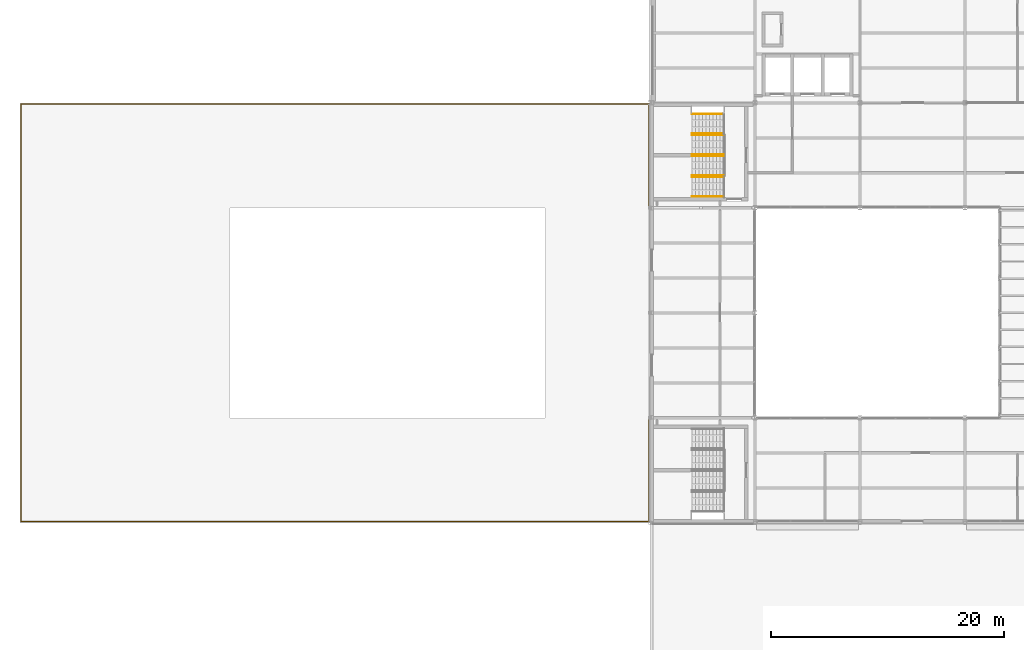
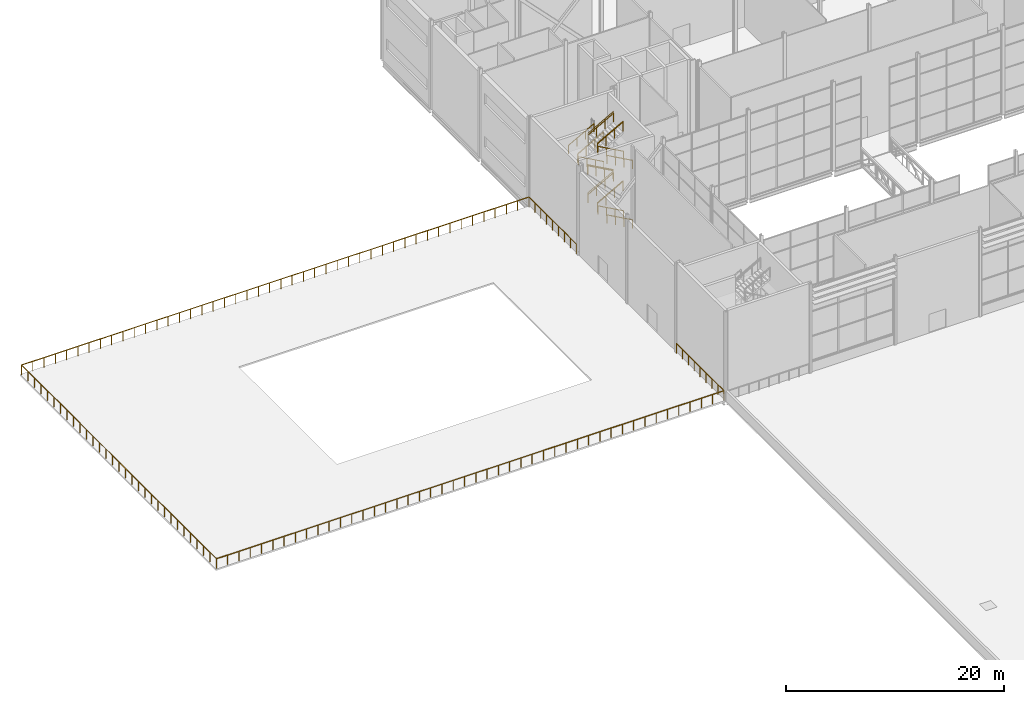
# One storey, part 107 of 111: 19 railings.
"""IFC4 building model written with IfcOpenShell, lengths in metres."""

from ifc_helpers import new_model, si_unit, direction, frame, origin, origin_2d, place, context, subcontext, project, spatial, circle, extrude, material, type_object, element, save


model = new_model("IFC4")

# Units and contexts
model_context = context("Model", 3, precision=1e-05, world=origin(), true_north=direction((0.0, 1.0)))
body_context = subcontext(model_context, "Body", "Model", "MODEL_VIEW")
ifc_project = project(units=[si_unit("LENGTHUNIT", "METRE"), si_unit("AREAUNIT", "SQUARE_METRE"), si_unit("VOLUMEUNIT", "CUBIC_METRE"), si_unit("PLANEANGLEUNIT", "RADIAN"), si_unit("MASSUNIT", "GRAM", prefix="KILO")], contexts=[model_context])

# Site, building, storey
site_placement = place(None, origin())
site = spatial("IfcSite", under=ifc_project, at=site_placement, CompositionType="ELEMENT")
building_placement = place(site_placement, origin())
building = spatial("IfcBuilding", under=site, at=building_placement, Name="Shorebreak Coast Museum", CompositionType="ELEMENT")
storey_placement = place(building_placement, frame((0.0, 0.0, 16.0)))
storey = spatial("IfcBuildingStorey", under=building, at=storey_placement, Name="L03", CompositionType="ELEMENT", Elevation=16.0)

# Railings
ifc_material_1 = material(Name="Roof garden guard 1100")
railing_type_1 = type_object("IfcRailingType", Name="Roof garden guard 1100", PredefinedType="GUARDRAIL", material=ifc_material_1)
railing_1_placement = place(storey_placement, frame((53.89990234375, 62.800048828125, 0.0)))
element("IfcRailing", 1, at=railing_1_placement, inside=storey, type_object=railing_type_1, Name="Roof garden guard WDECK-S 1", PredefinedType="GUARDRAIL", context=body_context, shape_type="SweptSolid", body=[
    extrude(circle(Radius=0.02490234375, at=origin_2d()), frame((0.0, 0.0, 1.0751953125), z_axis=(0.0, -1.0, 0.0), x_axis=(1.0, 0.0, 0.0)), (0.0, 0.0, 1.0), 8.699951171875),
    extrude(circle(Radius=0.02490234375, at=origin_2d()), frame((0.0, -8.699951171875, 1.0751953125), z_axis=(-1.0, 0.0, 0.0), x_axis=(0.0, -1.0, 0.0)), (0.0, 0.0, 1.0), 53.7998046875),
    extrude(circle(Radius=0.02490234375, at=origin_2d()), frame((-53.7998046875, -8.699951171875, 1.0751953125), z_axis=(0.0, 1.0, 0.0), x_axis=(-1.0, 0.0, 0.0)), (0.0, 0.0, 1.0), 35.7998046875),
    extrude(circle(Radius=0.02490234375, at=origin_2d()), frame((-53.7998046875, 27.099853515625, 1.0751953125), z_axis=(1.0, 0.0, 0.0), x_axis=(0.0, 1.0, 0.0)), (0.0, 0.0, 1.0), 53.7998046875),
    extrude(circle(Radius=0.02490234375, at=origin_2d()), frame((0.0, 27.099853515625, 1.0751953125), z_axis=(0.0, -1.0, 0.0), x_axis=(1.0, 0.0, 0.0)), (0.0, 0.0, 1.0), 8.699951171875),
    extrude(circle(Radius=0.02001953125, at=origin_2d()), origin(), (0.0, 0.0, 1.0), 1.050048828125),
    extrude(circle(Radius=0.02001953125, at=origin_2d()), frame((0.0, -1.08740234375, 0.0)), (0.0, 0.0, 1.0), 1.050048828125),
    extrude(circle(Radius=0.02001953125, at=origin_2d()), frame((0.0, -2.175048828125, 0.0)), (0.0, 0.0, 1.0), 1.050048828125),
    extrude(circle(Radius=0.02001953125, at=origin_2d()), frame((0.0, -3.262451171875, 0.0)), (0.0, 0.0, 1.0), 1.050048828125),
    extrude(circle(Radius=0.02001953125, at=origin_2d()), frame((0.0, -4.35009765625, 0.0)), (0.0, 0.0, 1.0), 1.050048828125),
    extrude(circle(Radius=0.02001953125, at=origin_2d()), frame((0.0, -5.4375, 0.0)), (0.0, 0.0, 1.0), 1.050048828125),
    extrude(circle(Radius=0.02001953125, at=origin_2d()), frame((0.0, -6.52490234375, 0.0)), (0.0, 0.0, 1.0), 1.050048828125),
    extrude(circle(Radius=0.02001953125, at=origin_2d()), frame((0.0, -7.612548828125, 0.0)), (0.0, 0.0, 1.0), 1.050048828125),
    extrude(circle(Radius=0.02001953125, at=origin_2d()), frame((0.0, -8.699951171875, 0.0)), (0.0, 0.0, 1.0), 1.050048828125),
    extrude(circle(Radius=0.02001953125, at=origin_2d()), frame((-1.195556640625, -8.699951171875, 0.0)), (0.0, 0.0, 1.0), 1.050048828125),
    extrude(circle(Radius=0.02001953125, at=origin_2d()), frame((-2.39111328125, -8.699951171875, 0.0)), (0.0, 0.0, 1.0), 1.050048828125),
    extrude(circle(Radius=0.02001953125, at=origin_2d()), frame((-3.586669921875, -8.699951171875, 0.0)), (0.0, 0.0, 1.0), 1.050048828125),
    extrude(circle(Radius=0.02001953125, at=origin_2d()), frame((-4.7822265625, -8.699951171875, 0.0)), (0.0, 0.0, 1.0), 1.050048828125),
    extrude(circle(Radius=0.02001953125, at=origin_2d()), frame((-5.977783203125, -8.699951171875, 0.0)), (0.0, 0.0, 1.0), 1.050048828125),
    extrude(circle(Radius=0.02001953125, at=origin_2d()), frame((-7.17333984375, -8.699951171875, 0.0)), (0.0, 0.0, 1.0), 1.050048828125),
    extrude(circle(Radius=0.02001953125, at=origin_2d()), frame((-8.368896484375, -8.699951171875, 0.0)), (0.0, 0.0, 1.0), 1.050048828125),
    extrude(circle(Radius=0.02001953125, at=origin_2d()), frame((-9.564453125, -8.699951171875, 0.0)), (0.0, 0.0, 1.0), 1.050048828125),
    extrude(circle(Radius=0.02001953125, at=origin_2d()), frame((-10.760009765625, -8.699951171875, 0.0)), (0.0, 0.0, 1.0), 1.050048828125),
    extrude(circle(Radius=0.02001953125, at=origin_2d()), frame((-11.95556640625, -8.699951171875, 0.0)), (0.0, 0.0, 1.0), 1.050048828125),
    extrude(circle(Radius=0.02001953125, at=origin_2d()), frame((-13.151123046875, -8.699951171875, 0.0)), (0.0, 0.0, 1.0), 1.050048828125),
    extrude(circle(Radius=0.02001953125, at=origin_2d()), frame((-14.3466796875, -8.699951171875, 0.0)), (0.0, 0.0, 1.0), 1.050048828125),
    extrude(circle(Radius=0.02001953125, at=origin_2d()), frame((-15.542236328125, -8.699951171875, 0.0)), (0.0, 0.0, 1.0), 1.050048828125),
    extrude(circle(Radius=0.02001953125, at=origin_2d()), frame((-16.73779296875, -8.699951171875, 0.0)), (0.0, 0.0, 1.0), 1.050048828125),
    extrude(circle(Radius=0.02001953125, at=origin_2d()), frame((-17.933349609375, -8.699951171875, 0.0)), (0.0, 0.0, 1.0), 1.050048828125),
    extrude(circle(Radius=0.02001953125, at=origin_2d()), frame((-19.12890625, -8.699951171875, 0.0)), (0.0, 0.0, 1.0), 1.050048828125),
    extrude(circle(Radius=0.02001953125, at=origin_2d()), frame((-20.324462890625, -8.699951171875, 0.0)), (0.0, 0.0, 1.0), 1.050048828125),
    extrude(circle(Radius=0.02001953125, at=origin_2d()), frame((-21.52001953125, -8.699951171875, 0.0)), (0.0, 0.0, 1.0), 1.050048828125),
    extrude(circle(Radius=0.02001953125, at=origin_2d()), frame((-22.715576171875, -8.699951171875, 0.0)), (0.0, 0.0, 1.0), 1.050048828125),
    extrude(circle(Radius=0.02001953125, at=origin_2d()), frame((-23.9111328125, -8.699951171875, 0.0)), (0.0, 0.0, 1.0), 1.050048828125),
    extrude(circle(Radius=0.02001953125, at=origin_2d()), frame((-25.106689453125, -8.699951171875, 0.0)), (0.0, 0.0, 1.0), 1.050048828125),
    extrude(circle(Radius=0.02001953125, at=origin_2d()), frame((-26.30224609375, -8.699951171875, 0.0)), (0.0, 0.0, 1.0), 1.050048828125),
    extrude(circle(Radius=0.02001953125, at=origin_2d()), frame((-27.49755859375, -8.699951171875, 0.0)), (0.0, 0.0, 1.0), 1.050048828125),
    extrude(circle(Radius=0.02001953125, at=origin_2d()), frame((-28.693115234375, -8.699951171875, 0.0)), (0.0, 0.0, 1.0), 1.050048828125),
    extrude(circle(Radius=0.02001953125, at=origin_2d()), frame((-29.888671875, -8.699951171875, 0.0)), (0.0, 0.0, 1.0), 1.050048828125),
    extrude(circle(Radius=0.02001953125, at=origin_2d()), frame((-31.084228515625, -8.699951171875, 0.0)), (0.0, 0.0, 1.0), 1.050048828125),
    extrude(circle(Radius=0.02001953125, at=origin_2d()), frame((-32.27978515625, -8.699951171875, 0.0)), (0.0, 0.0, 1.0), 1.050048828125),
    extrude(circle(Radius=0.02001953125, at=origin_2d()), frame((-33.475341796875, -8.699951171875, 0.0)), (0.0, 0.0, 1.0), 1.050048828125),
    extrude(circle(Radius=0.02001953125, at=origin_2d()), frame((-34.6708984375, -8.699951171875, 0.0)), (0.0, 0.0, 1.0), 1.050048828125),
    extrude(circle(Radius=0.02001953125, at=origin_2d()), frame((-35.866455078125, -8.699951171875, 0.0)), (0.0, 0.0, 1.0), 1.050048828125),
    extrude(circle(Radius=0.02001953125, at=origin_2d()), frame((-37.06201171875, -8.699951171875, 0.0)), (0.0, 0.0, 1.0), 1.050048828125),
    extrude(circle(Radius=0.02001953125, at=origin_2d()), frame((-38.257568359375, -8.699951171875, 0.0)), (0.0, 0.0, 1.0), 1.050048828125),
    extrude(circle(Radius=0.02001953125, at=origin_2d()), frame((-39.453125, -8.699951171875, 0.0)), (0.0, 0.0, 1.0), 1.050048828125),
    extrude(circle(Radius=0.02001953125, at=origin_2d()), frame((-40.648681640625, -8.699951171875, 0.0)), (0.0, 0.0, 1.0), 1.050048828125),
    extrude(circle(Radius=0.02001953125, at=origin_2d()), frame((-41.84423828125, -8.699951171875, 0.0)), (0.0, 0.0, 1.0), 1.050048828125),
    extrude(circle(Radius=0.02001953125, at=origin_2d()), frame((-43.039794921875, -8.699951171875, 0.0)), (0.0, 0.0, 1.0), 1.050048828125),
    extrude(circle(Radius=0.02001953125, at=origin_2d()), frame((-44.2353515625, -8.699951171875, 0.0)), (0.0, 0.0, 1.0), 1.050048828125),
    extrude(circle(Radius=0.02001953125, at=origin_2d()), frame((-45.430908203125, -8.699951171875, 0.0)), (0.0, 0.0, 1.0), 1.050048828125),
    extrude(circle(Radius=0.02001953125, at=origin_2d()), frame((-46.62646484375, -8.699951171875, 0.0)), (0.0, 0.0, 1.0), 1.050048828125),
    extrude(circle(Radius=0.02001953125, at=origin_2d()), frame((-47.822021484375, -8.699951171875, 0.0)), (0.0, 0.0, 1.0), 1.050048828125),
    extrude(circle(Radius=0.02001953125, at=origin_2d()), frame((-49.017578125, -8.699951171875, 0.0)), (0.0, 0.0, 1.0), 1.050048828125),
    extrude(circle(Radius=0.02001953125, at=origin_2d()), frame((-50.213134765625, -8.699951171875, 0.0)), (0.0, 0.0, 1.0), 1.050048828125),
    extrude(circle(Radius=0.02001953125, at=origin_2d()), frame((-51.40869140625, -8.699951171875, 0.0)), (0.0, 0.0, 1.0), 1.050048828125),
    extrude(circle(Radius=0.02001953125, at=origin_2d()), frame((-52.604248046875, -8.699951171875, 0.0)), (0.0, 0.0, 1.0), 1.050048828125),
    extrude(circle(Radius=0.02001953125, at=origin_2d()), frame((-53.7998046875, -8.699951171875, 0.0)), (0.0, 0.0, 1.0), 1.050048828125),
    extrude(circle(Radius=0.02001953125, at=origin_2d()), frame((-53.7998046875, -7.506591796875, 0.0)), (0.0, 0.0, 1.0), 1.050048828125),
    extrude(circle(Radius=0.02001953125, at=origin_2d()), frame((-53.7998046875, -6.313232421875, 0.0)), (0.0, 0.0, 1.0), 1.050048828125),
    extrude(circle(Radius=0.02001953125, at=origin_2d()), frame((-53.7998046875, -5.119873046875, 0.0)), (0.0, 0.0, 1.0), 1.050048828125),
    extrude(circle(Radius=0.02001953125, at=origin_2d()), frame((-53.7998046875, -3.9267578125, 0.0)), (0.0, 0.0, 1.0), 1.050048828125),
    extrude(circle(Radius=0.02001953125, at=origin_2d()), frame((-53.7998046875, -2.7333984375, 0.0)), (0.0, 0.0, 1.0), 1.050048828125),
    extrude(circle(Radius=0.02001953125, at=origin_2d()), frame((-53.7998046875, -1.5400390625, 0.0)), (0.0, 0.0, 1.0), 1.050048828125),
    extrude(circle(Radius=0.02001953125, at=origin_2d()), frame((-53.7998046875, -0.3466796875, 0.0)), (0.0, 0.0, 1.0), 1.050048828125),
    extrude(circle(Radius=0.02001953125, at=origin_2d()), frame((-53.7998046875, 0.8466796875, 0.0)), (0.0, 0.0, 1.0), 1.050048828125),
    extrude(circle(Radius=0.02001953125, at=origin_2d()), frame((-53.7998046875, 2.0400390625, 0.0)), (0.0, 0.0, 1.0), 1.050048828125),
    extrude(circle(Radius=0.02001953125, at=origin_2d()), frame((-53.7998046875, 3.2333984375, 0.0)), (0.0, 0.0, 1.0), 1.050048828125),
    extrude(circle(Radius=0.02001953125, at=origin_2d()), frame((-53.7998046875, 4.4267578125, 0.0)), (0.0, 0.0, 1.0), 1.050048828125),
    extrude(circle(Radius=0.02001953125, at=origin_2d()), frame((-53.7998046875, 5.619873046875, 0.0)), (0.0, 0.0, 1.0), 1.050048828125),
    extrude(circle(Radius=0.02001953125, at=origin_2d()), frame((-53.7998046875, 6.813232421875, 0.0)), (0.0, 0.0, 1.0), 1.050048828125),
    extrude(circle(Radius=0.02001953125, at=origin_2d()), frame((-53.7998046875, 8.006591796875, 0.0)), (0.0, 0.0, 1.0), 1.050048828125),
    extrude(circle(Radius=0.02001953125, at=origin_2d()), frame((-53.7998046875, 9.199951171875, 0.0)), (0.0, 0.0, 1.0), 1.050048828125),
    extrude(circle(Radius=0.02001953125, at=origin_2d()), frame((-53.7998046875, 10.393310546875, 0.0)), (0.0, 0.0, 1.0), 1.050048828125),
    extrude(circle(Radius=0.02001953125, at=origin_2d()), frame((-53.7998046875, 11.586669921875, 0.0)), (0.0, 0.0, 1.0), 1.050048828125),
    extrude(circle(Radius=0.02001953125, at=origin_2d()), frame((-53.7998046875, 12.780029296875, 0.0)), (0.0, 0.0, 1.0), 1.050048828125),
    extrude(circle(Radius=0.02001953125, at=origin_2d()), frame((-53.7998046875, 13.97314453125, 0.0)), (0.0, 0.0, 1.0), 1.050048828125),
    extrude(circle(Radius=0.02001953125, at=origin_2d()), frame((-53.7998046875, 15.16650390625, 0.0)), (0.0, 0.0, 1.0), 1.050048828125),
    extrude(circle(Radius=0.02001953125, at=origin_2d()), frame((-53.7998046875, 16.35986328125, 0.0)), (0.0, 0.0, 1.0), 1.050048828125),
    extrude(circle(Radius=0.02001953125, at=origin_2d()), frame((-53.7998046875, 17.55322265625, 0.0)), (0.0, 0.0, 1.0), 1.050048828125),
    extrude(circle(Radius=0.02001953125, at=origin_2d()), frame((-53.7998046875, 18.74658203125, 0.0)), (0.0, 0.0, 1.0), 1.050048828125),
    extrude(circle(Radius=0.02001953125, at=origin_2d()), frame((-53.7998046875, 19.93994140625, 0.0)), (0.0, 0.0, 1.0), 1.050048828125),
    extrude(circle(Radius=0.02001953125, at=origin_2d()), frame((-53.7998046875, 21.13330078125, 0.0)), (0.0, 0.0, 1.0), 1.050048828125),
    extrude(circle(Radius=0.02001953125, at=origin_2d()), frame((-53.7998046875, 22.32666015625, 0.0)), (0.0, 0.0, 1.0), 1.050048828125),
    extrude(circle(Radius=0.02001953125, at=origin_2d()), frame((-53.7998046875, 23.519775390625, 0.0)), (0.0, 0.0, 1.0), 1.050048828125),
    extrude(circle(Radius=0.02001953125, at=origin_2d()), frame((-53.7998046875, 24.713134765625, 0.0)), (0.0, 0.0, 1.0), 1.050048828125),
    extrude(circle(Radius=0.02001953125, at=origin_2d()), frame((-53.7998046875, 25.906494140625, 0.0)), (0.0, 0.0, 1.0), 1.050048828125),
    extrude(circle(Radius=0.02001953125, at=origin_2d()), frame((-53.7998046875, 27.099853515625, 0.0)), (0.0, 0.0, 1.0), 1.050048828125),
    extrude(circle(Radius=0.02001953125, at=origin_2d()), frame((-52.604248046875, 27.099853515625, 0.0)), (0.0, 0.0, 1.0), 1.050048828125),
    extrude(circle(Radius=0.02001953125, at=origin_2d()), frame((-51.40869140625, 27.099853515625, 0.0)), (0.0, 0.0, 1.0), 1.050048828125),
    extrude(circle(Radius=0.02001953125, at=origin_2d()), frame((-50.213134765625, 27.099853515625, 0.0)), (0.0, 0.0, 1.0), 1.050048828125),
    extrude(circle(Radius=0.02001953125, at=origin_2d()), frame((-49.017578125, 27.099853515625, 0.0)), (0.0, 0.0, 1.0), 1.050048828125),
    extrude(circle(Radius=0.02001953125, at=origin_2d()), frame((-47.822021484375, 27.099853515625, 0.0)), (0.0, 0.0, 1.0), 1.050048828125),
    extrude(circle(Radius=0.02001953125, at=origin_2d()), frame((-46.62646484375, 27.099853515625, 0.0)), (0.0, 0.0, 1.0), 1.050048828125),
    extrude(circle(Radius=0.02001953125, at=origin_2d()), frame((-45.430908203125, 27.099853515625, 0.0)), (0.0, 0.0, 1.0), 1.050048828125),
    extrude(circle(Radius=0.02001953125, at=origin_2d()), frame((-44.2353515625, 27.099853515625, 0.0)), (0.0, 0.0, 1.0), 1.050048828125),
    extrude(circle(Radius=0.02001953125, at=origin_2d()), frame((-43.039794921875, 27.099853515625, 0.0)), (0.0, 0.0, 1.0), 1.050048828125),
    extrude(circle(Radius=0.02001953125, at=origin_2d()), frame((-41.84423828125, 27.099853515625, 0.0)), (0.0, 0.0, 1.0), 1.050048828125),
    extrude(circle(Radius=0.02001953125, at=origin_2d()), frame((-40.648681640625, 27.099853515625, 0.0)), (0.0, 0.0, 1.0), 1.050048828125),
    extrude(circle(Radius=0.02001953125, at=origin_2d()), frame((-39.453125, 27.099853515625, 0.0)), (0.0, 0.0, 1.0), 1.050048828125),
    extrude(circle(Radius=0.02001953125, at=origin_2d()), frame((-38.257568359375, 27.099853515625, 0.0)), (0.0, 0.0, 1.0), 1.050048828125),
    extrude(circle(Radius=0.02001953125, at=origin_2d()), frame((-37.06201171875, 27.099853515625, 0.0)), (0.0, 0.0, 1.0), 1.050048828125),
    extrude(circle(Radius=0.02001953125, at=origin_2d()), frame((-35.866455078125, 27.099853515625, 0.0)), (0.0, 0.0, 1.0), 1.050048828125),
    extrude(circle(Radius=0.02001953125, at=origin_2d()), frame((-34.6708984375, 27.099853515625, 0.0)), (0.0, 0.0, 1.0), 1.050048828125),
    extrude(circle(Radius=0.02001953125, at=origin_2d()), frame((-33.475341796875, 27.099853515625, 0.0)), (0.0, 0.0, 1.0), 1.050048828125),
    extrude(circle(Radius=0.02001953125, at=origin_2d()), frame((-32.27978515625, 27.099853515625, 0.0)), (0.0, 0.0, 1.0), 1.050048828125),
    extrude(circle(Radius=0.02001953125, at=origin_2d()), frame((-31.084228515625, 27.099853515625, 0.0)), (0.0, 0.0, 1.0), 1.050048828125),
    extrude(circle(Radius=0.02001953125, at=origin_2d()), frame((-29.888671875, 27.099853515625, 0.0)), (0.0, 0.0, 1.0), 1.050048828125),
    extrude(circle(Radius=0.02001953125, at=origin_2d()), frame((-28.693115234375, 27.099853515625, 0.0)), (0.0, 0.0, 1.0), 1.050048828125),
    extrude(circle(Radius=0.02001953125, at=origin_2d()), frame((-27.49755859375, 27.099853515625, 0.0)), (0.0, 0.0, 1.0), 1.050048828125),
    extrude(circle(Radius=0.02001953125, at=origin_2d()), frame((-26.30224609375, 27.099853515625, 0.0)), (0.0, 0.0, 1.0), 1.050048828125),
    extrude(circle(Radius=0.02001953125, at=origin_2d()), frame((-25.106689453125, 27.099853515625, 0.0)), (0.0, 0.0, 1.0), 1.050048828125),
    extrude(circle(Radius=0.02001953125, at=origin_2d()), frame((-23.9111328125, 27.099853515625, 0.0)), (0.0, 0.0, 1.0), 1.050048828125),
    extrude(circle(Radius=0.02001953125, at=origin_2d()), frame((-22.715576171875, 27.099853515625, 0.0)), (0.0, 0.0, 1.0), 1.050048828125),
    extrude(circle(Radius=0.02001953125, at=origin_2d()), frame((-21.52001953125, 27.099853515625, 0.0)), (0.0, 0.0, 1.0), 1.050048828125),
    extrude(circle(Radius=0.02001953125, at=origin_2d()), frame((-20.324462890625, 27.099853515625, 0.0)), (0.0, 0.0, 1.0), 1.050048828125),
    extrude(circle(Radius=0.02001953125, at=origin_2d()), frame((-19.12890625, 27.099853515625, 0.0)), (0.0, 0.0, 1.0), 1.050048828125),
    extrude(circle(Radius=0.02001953125, at=origin_2d()), frame((-17.933349609375, 27.099853515625, 0.0)), (0.0, 0.0, 1.0), 1.050048828125),
    extrude(circle(Radius=0.02001953125, at=origin_2d()), frame((-16.73779296875, 27.099853515625, 0.0)), (0.0, 0.0, 1.0), 1.050048828125),
    extrude(circle(Radius=0.02001953125, at=origin_2d()), frame((-15.542236328125, 27.099853515625, 0.0)), (0.0, 0.0, 1.0), 1.050048828125),
    extrude(circle(Radius=0.02001953125, at=origin_2d()), frame((-14.3466796875, 27.099853515625, 0.0)), (0.0, 0.0, 1.0), 1.050048828125),
    extrude(circle(Radius=0.02001953125, at=origin_2d()), frame((-13.151123046875, 27.099853515625, 0.0)), (0.0, 0.0, 1.0), 1.050048828125),
    extrude(circle(Radius=0.02001953125, at=origin_2d()), frame((-11.95556640625, 27.099853515625, 0.0)), (0.0, 0.0, 1.0), 1.050048828125),
    extrude(circle(Radius=0.02001953125, at=origin_2d()), frame((-10.760009765625, 27.099853515625, 0.0)), (0.0, 0.0, 1.0), 1.050048828125),
    extrude(circle(Radius=0.02001953125, at=origin_2d()), frame((-9.564453125, 27.099853515625, 0.0)), (0.0, 0.0, 1.0), 1.050048828125),
    extrude(circle(Radius=0.02001953125, at=origin_2d()), frame((-8.368896484375, 27.099853515625, 0.0)), (0.0, 0.0, 1.0), 1.050048828125),
    extrude(circle(Radius=0.02001953125, at=origin_2d()), frame((-7.17333984375, 27.099853515625, 0.0)), (0.0, 0.0, 1.0), 1.050048828125),
    extrude(circle(Radius=0.02001953125, at=origin_2d()), frame((-5.977783203125, 27.099853515625, 0.0)), (0.0, 0.0, 1.0), 1.050048828125),
    extrude(circle(Radius=0.02001953125, at=origin_2d()), frame((-4.7822265625, 27.099853515625, 0.0)), (0.0, 0.0, 1.0), 1.050048828125),
    extrude(circle(Radius=0.02001953125, at=origin_2d()), frame((-3.586669921875, 27.099853515625, 0.0)), (0.0, 0.0, 1.0), 1.050048828125),
    extrude(circle(Radius=0.02001953125, at=origin_2d()), frame((-2.39111328125, 27.099853515625, 0.0)), (0.0, 0.0, 1.0), 1.050048828125),
    extrude(circle(Radius=0.02001953125, at=origin_2d()), frame((-1.195556640625, 27.099853515625, 0.0)), (0.0, 0.0, 1.0), 1.050048828125),
    extrude(circle(Radius=0.02001953125, at=origin_2d()), frame((0.0, 27.099853515625, 0.0)), (0.0, 0.0, 1.0), 1.050048828125),
    extrude(circle(Radius=0.02001953125, at=origin_2d()), frame((0.0, 26.012451171875, 0.0)), (0.0, 0.0, 1.0), 1.050048828125),
    extrude(circle(Radius=0.02001953125, at=origin_2d()), frame((0.0, 24.9248046875, 0.0)), (0.0, 0.0, 1.0), 1.050048828125),
    extrude(circle(Radius=0.02001953125, at=origin_2d()), frame((0.0, 23.83740234375, 0.0)), (0.0, 0.0, 1.0), 1.050048828125),
    extrude(circle(Radius=0.02001953125, at=origin_2d()), frame((0.0, 22.75, 0.0)), (0.0, 0.0, 1.0), 1.050048828125),
    extrude(circle(Radius=0.02001953125, at=origin_2d()), frame((0.0, 21.662353515625, 0.0)), (0.0, 0.0, 1.0), 1.050048828125),
    extrude(circle(Radius=0.02001953125, at=origin_2d()), frame((0.0, 20.574951171875, 0.0)), (0.0, 0.0, 1.0), 1.050048828125),
    extrude(circle(Radius=0.02001953125, at=origin_2d()), frame((0.0, 19.4873046875, 0.0)), (0.0, 0.0, 1.0), 1.050048828125),
    extrude(circle(Radius=0.02001953125, at=origin_2d()), frame((0.0, 18.39990234375, 0.0)), (0.0, 0.0, 1.0), 1.050048828125),
])
ifc_material_2 = material(Name="Steel Grade 300", Category="steel")
railing_type_2 = type_object("IfcRailingType", Name="Stair guard 1100", PredefinedType="GUARDRAIL", material=ifc_material_2)
for number, where, name in (
    (2, (57.60009765625, 83.699951171875, 1.833251953125), "Guard ST03-L03 well 1"),
    (3, (57.60009765625, 87.300048828125, 5.166748046875), "Guard ST03-L03 well 2"),
    (4, (57.60009765625, 83.699951171875, 8.5), "Guard ST03-L03 well 3"),
    (5, (57.60009765625, 85.5, 1.833251953125), "Guard ST03-L03 side 1"),
):
    element("IfcRailing", number, at=place(storey_placement, frame(where)), inside=storey, type_object=railing_type_2, Name=name, PredefinedType="GUARDRAIL", context=body_context, shape_type="SweptSolid", body=[
        extrude(circle(Radius=0.02490234375, at=origin_2d()), frame((0.0, 0.0, 1.0751953125), z_axis=(0.87415354758, 0.0, 0.485649642493), x_axis=(0.0, 1.0, 0.0)), (0.0, 0.0, 1.0), 3.088623046875),
        extrude(circle(Radius=0.02001953125, at=origin_2d()), origin(), (0.0, 0.0, 1.0), 1.050048828125),
        extrude(circle(Radius=0.02001953125, at=origin_2d()), frame((0.89990234375, 0.0, 0.5)), (0.0, 0.0, 1.0), 1.050048828125),
        extrude(circle(Radius=0.02001953125, at=origin_2d()), frame((1.800048828125, 0.0, 1.0)), (0.0, 0.0, 1.0), 1.050048828125),
        extrude(circle(Radius=0.02001953125, at=origin_2d()), frame((2.699951171875, 0.0, 1.5)), (0.0, 0.0, 1.0), 1.050048828125),
    ])
railing_2_placement = place(storey_placement, frame((60.300048828125, 85.5, 3.5)))
element("IfcRailing", 6, at=railing_2_placement, inside=storey, type_object=railing_type_2, Name="Guard ST03-L03 side 2", PredefinedType="GUARDRAIL", context=body_context, shape_type="SweptSolid", body=[
    extrude(circle(Radius=0.02490234375, at=origin_2d()), frame((0.0, 0.0, 1.0751953125), z_axis=(-0.87415354758, 0.0, 0.485649642493), x_axis=(0.0, -1.0, 0.0)), (0.0, 0.0, 1.0), 3.088623046875),
    extrude(circle(Radius=0.02001953125, at=origin_2d()), origin(), (0.0, 0.0, 1.0), 1.050048828125),
    extrude(circle(Radius=0.02001953125, at=origin_2d()), frame((-0.89990234375, 0.0, 0.5)), (0.0, 0.0, 1.0), 1.050048828125),
    extrude(circle(Radius=0.02001953125, at=origin_2d()), frame((-1.800048828125, 0.0, 1.0)), (0.0, 0.0, 1.0), 1.050048828125),
    extrude(circle(Radius=0.02001953125, at=origin_2d()), frame((-2.699951171875, 0.0, 1.5)), (0.0, 0.0, 1.0), 1.050048828125),
])
railing_3_placement = place(storey_placement, frame((57.60009765625, 85.5, 8.5)))
element("IfcRailing", 7, at=railing_3_placement, inside=storey, type_object=railing_type_2, Name="Guard ST03-L03 side 3", PredefinedType="GUARDRAIL", context=body_context, shape_type="SweptSolid", body=[
    extrude(circle(Radius=0.02490234375, at=origin_2d()), frame((0.0, 0.0, 1.0751953125), z_axis=(0.87415354758, 0.0, 0.485649642493), x_axis=(0.0, 1.0, 0.0)), (0.0, 0.0, 1.0), 3.088623046875),
    extrude(circle(Radius=0.02001953125, at=origin_2d()), origin(), (0.0, 0.0, 1.0), 1.050048828125),
    extrude(circle(Radius=0.02001953125, at=origin_2d()), frame((0.89990234375, 0.0, 0.5)), (0.0, 0.0, 1.0), 1.050048828125),
    extrude(circle(Radius=0.02001953125, at=origin_2d()), frame((1.800048828125, 0.0, 1.0)), (0.0, 0.0, 1.0), 1.050048828125),
    extrude(circle(Radius=0.02001953125, at=origin_2d()), frame((2.699951171875, 0.0, 1.5)), (0.0, 0.0, 1.0), 1.050048828125),
])
ifc_material_3 = material(Name="Steel Grade 300", Category="steel")
railing_type_3 = type_object("IfcRailingType", Name="Stair handrail 950", PredefinedType="HANDRAIL", material=ifc_material_3)
for number, where, name in (
    (8, (60.300048828125, 81.9599609375, 0.166748046875), "Handrail ST03-L03 flight 1a"),
    (9, (60.300048828125, 83.639892578125, 0.166748046875), "Handrail ST03-L03 flight 1b"),
):
    element("IfcRailing", number, at=place(storey_placement, frame(where)), inside=storey, type_object=railing_type_3, Name=name, PredefinedType="HANDRAIL", context=body_context, shape_type="SweptSolid", body=[
        extrude(circle(Radius=0.02490234375, at=origin_2d()), frame((0.0, 0.0, 0.9248046875), z_axis=(-0.87415354758, 0.0, 0.485649642493), x_axis=(0.0, -1.0, 0.0)), (0.0, 0.0, 1.0), 3.088623046875),
        extrude(circle(Radius=0.02001953125, at=origin_2d()), origin(), (0.0, 0.0, 1.0), 0.89990234375),
        extrude(circle(Radius=0.02001953125, at=origin_2d()), frame((-0.89990234375, 0.0, 0.5)), (0.0, 0.0, 1.0), 0.89990234375),
        extrude(circle(Radius=0.02001953125, at=origin_2d()), frame((-1.800048828125, 0.0, 1.0)), (0.0, 0.0, 1.0), 0.89990234375),
        extrude(circle(Radius=0.02001953125, at=origin_2d()), frame((-2.699951171875, 0.0, 1.5)), (0.0, 0.0, 1.0), 0.89990234375),
    ])
for number, where, name in (
    (10, (57.60009765625, 83.760009765625, 1.833251953125), "Handrail ST03-L03 flight 2a"),
    (11, (57.60009765625, 85.43994140625, 1.833251953125), "Handrail ST03-L03 flight 2b"),
):
    element("IfcRailing", number, at=place(storey_placement, frame(where)), inside=storey, type_object=railing_type_3, Name=name, PredefinedType="HANDRAIL", context=body_context, shape_type="SweptSolid", body=[
        extrude(circle(Radius=0.02490234375, at=origin_2d()), frame((0.0, 0.0, 0.9248046875), z_axis=(0.87415354758, 0.0, 0.485649642493), x_axis=(0.0, 1.0, 0.0)), (0.0, 0.0, 1.0), 3.088623046875),
        extrude(circle(Radius=0.02001953125, at=origin_2d()), origin(), (0.0, 0.0, 1.0), 0.89990234375),
        extrude(circle(Radius=0.02001953125, at=origin_2d()), frame((0.89990234375, 0.0, 0.5)), (0.0, 0.0, 1.0), 0.89990234375),
        extrude(circle(Radius=0.02001953125, at=origin_2d()), frame((1.800048828125, 0.0, 1.0)), (0.0, 0.0, 1.0), 0.89990234375),
        extrude(circle(Radius=0.02001953125, at=origin_2d()), frame((2.699951171875, 0.0, 1.5)), (0.0, 0.0, 1.0), 0.89990234375),
    ])
for number, where, name in (
    (12, (60.300048828125, 85.56005859375, 3.5), "Handrail ST03-L03 flight 3a"),
    (13, (60.300048828125, 87.239990234375, 3.5), "Handrail ST03-L03 flight 3b"),
):
    element("IfcRailing", number, at=place(storey_placement, frame(where)), inside=storey, type_object=railing_type_3, Name=name, PredefinedType="HANDRAIL", context=body_context, shape_type="SweptSolid", body=[
        extrude(circle(Radius=0.02490234375, at=origin_2d()), frame((0.0, 0.0, 0.9248046875), z_axis=(-0.87415354758, 0.0, 0.485649642493), x_axis=(0.0, -1.0, 0.0)), (0.0, 0.0, 1.0), 3.088623046875),
        extrude(circle(Radius=0.02001953125, at=origin_2d()), origin(), (0.0, 0.0, 1.0), 0.89990234375),
        extrude(circle(Radius=0.02001953125, at=origin_2d()), frame((-0.89990234375, 0.0, 0.5)), (0.0, 0.0, 1.0), 0.89990234375),
        extrude(circle(Radius=0.02001953125, at=origin_2d()), frame((-1.800048828125, 0.0, 1.0)), (0.0, 0.0, 1.0), 0.89990234375),
        extrude(circle(Radius=0.02001953125, at=origin_2d()), frame((-2.699951171875, 0.0, 1.5)), (0.0, 0.0, 1.0), 0.89990234375),
    ])
for number, where, name in (
    (14, (57.60009765625, 87.360107421875, 5.166748046875), "Handrail ST03-L03 flight 4a"),
    (15, (57.60009765625, 89.0400390625, 5.166748046875), "Handrail ST03-L03 flight 4b"),
):
    element("IfcRailing", number, at=place(storey_placement, frame(where)), inside=storey, type_object=railing_type_3, Name=name, PredefinedType="HANDRAIL", context=body_context, shape_type="SweptSolid", body=[
        extrude(circle(Radius=0.02490234375, at=origin_2d()), frame((0.0, 0.0, 0.9248046875), z_axis=(0.87415354758, 0.0, 0.485649642493), x_axis=(0.0, 1.0, 0.0)), (0.0, 0.0, 1.0), 3.088623046875),
        extrude(circle(Radius=0.02001953125, at=origin_2d()), origin(), (0.0, 0.0, 1.0), 0.89990234375),
        extrude(circle(Radius=0.02001953125, at=origin_2d()), frame((0.89990234375, 0.0, 0.5)), (0.0, 0.0, 1.0), 0.89990234375),
        extrude(circle(Radius=0.02001953125, at=origin_2d()), frame((1.800048828125, 0.0, 1.0)), (0.0, 0.0, 1.0), 0.89990234375),
        extrude(circle(Radius=0.02001953125, at=origin_2d()), frame((2.699951171875, 0.0, 1.5)), (0.0, 0.0, 1.0), 0.89990234375),
    ])
for number, where, name in (
    (16, (60.300048828125, 81.9599609375, 6.833251953125), "Handrail ST03-L03 flight 5a"),
    (17, (60.300048828125, 83.639892578125, 6.833251953125), "Handrail ST03-L03 flight 5b"),
):
    element("IfcRailing", number, at=place(storey_placement, frame(where)), inside=storey, type_object=railing_type_3, Name=name, PredefinedType="HANDRAIL", context=body_context, shape_type="SweptSolid", body=[
        extrude(circle(Radius=0.02490234375, at=origin_2d()), frame((0.0, 0.0, 0.9248046875), z_axis=(-0.87415354758, 0.0, 0.485649642493), x_axis=(0.0, -1.0, 0.0)), (0.0, 0.0, 1.0), 3.088623046875),
        extrude(circle(Radius=0.02001953125, at=origin_2d()), origin(), (0.0, 0.0, 1.0), 0.89990234375),
        extrude(circle(Radius=0.02001953125, at=origin_2d()), frame((-0.89990234375, 0.0, 0.5)), (0.0, 0.0, 1.0), 0.89990234375),
        extrude(circle(Radius=0.02001953125, at=origin_2d()), frame((-1.800048828125, 0.0, 1.0)), (0.0, 0.0, 1.0), 0.89990234375),
        extrude(circle(Radius=0.02001953125, at=origin_2d()), frame((-2.699951171875, 0.0, 1.5)), (0.0, 0.0, 1.0), 0.89990234375),
    ])
for number, where, name in (
    (18, (57.60009765625, 83.760009765625, 8.5), "Handrail ST03-L03 flight 6a"),
    (19, (57.60009765625, 85.43994140625, 8.5), "Handrail ST03-L03 flight 6b"),
):
    element("IfcRailing", number, at=place(storey_placement, frame(where)), inside=storey, type_object=railing_type_3, Name=name, PredefinedType="HANDRAIL", context=body_context, shape_type="SweptSolid", body=[
        extrude(circle(Radius=0.02490234375, at=origin_2d()), frame((0.0, 0.0, 0.9248046875), z_axis=(0.87415354758, 0.0, 0.485649642493), x_axis=(0.0, 1.0, 0.0)), (0.0, 0.0, 1.0), 3.088623046875),
        extrude(circle(Radius=0.02001953125, at=origin_2d()), origin(), (0.0, 0.0, 1.0), 0.89990234375),
        extrude(circle(Radius=0.02001953125, at=origin_2d()), frame((0.89990234375, 0.0, 0.5)), (0.0, 0.0, 1.0), 0.89990234375),
        extrude(circle(Radius=0.02001953125, at=origin_2d()), frame((1.800048828125, 0.0, 1.0)), (0.0, 0.0, 1.0), 0.89990234375),
        extrude(circle(Radius=0.02001953125, at=origin_2d()), frame((2.699951171875, 0.0, 1.5)), (0.0, 0.0, 1.0), 0.89990234375),
    ])

save(model, "model.ifc")
